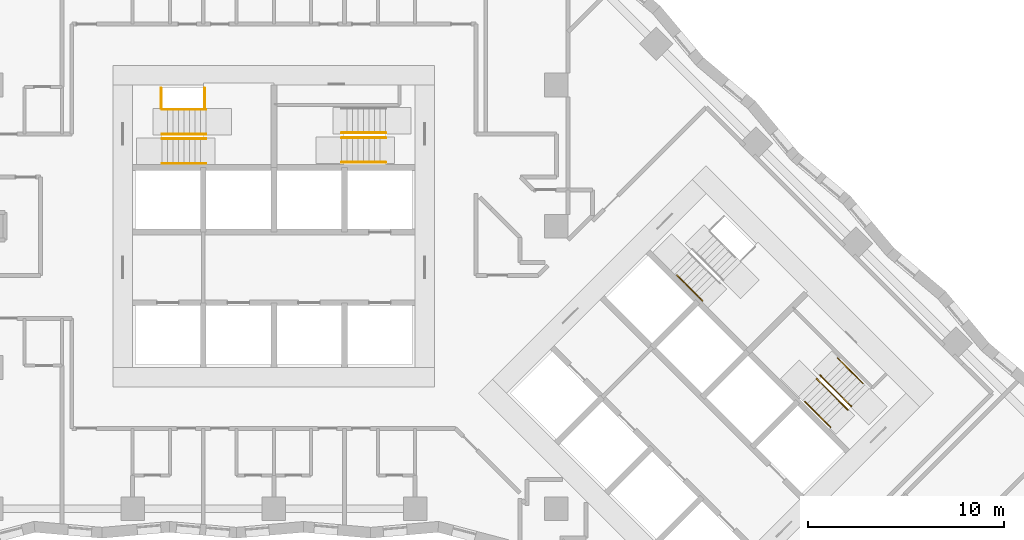
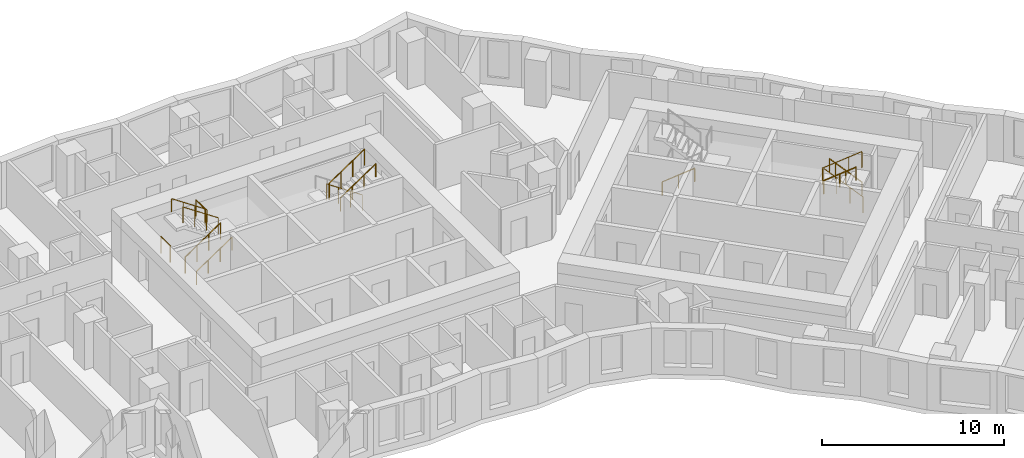
# One storey, part 14 of 15: 14 railings.
"""IFC4 building model written with IfcOpenShell, lengths in metres."""

import ifcopenshell
import ifcopenshell.guid

model = None  # the IFC model being written
_history = None  # IfcOwnerHistory: only IFC2X3 demands one
_inside = {}  # id of a spatial element -> (the spatial element, [elements in it])
_under = {}  # id of a project, library or spatial element -> (it, [spatial elements below it])
_declared = {}  # id of a project -> (the project, [libraries it declares])
_typed = {}  # id of a type object -> (the type object, [elements of that type])
_made_of = {}  # id of a material, layer set ... -> (it, [elements and type objects made of it])


def new_model(schema):
    """Start an empty IFC model of exactly this schema.

    Asked for "IFC4X3", IfcOpenShell would pick the latest addendum, in which some entities
    have other attributes; the version numbers below select the first issue.
    IFC2X3 requires an IfcOwnerHistory on every rooted entity: one is made here for all.
    """
    global model, _history
    if schema == "IFC4X3":
        model = ifcopenshell.file(schema_version=(4, 3, 0, 0))
    else:
        model = ifcopenshell.file(schema=schema)
    _inside.clear()
    _under.clear()
    _declared.clear()
    _typed.clear()
    _made_of.clear()
    _history = None
    if model.schema == "IFC2X3":
        org = make("IfcOrganization", Name="unknown")
        user = make(
            "IfcPersonAndOrganization",
            ThePerson=make("IfcPerson", FamilyName="unknown"),
            TheOrganization=org,
        )
        app = make(
            "IfcApplication",
            ApplicationDeveloper=org,
            Version="unknown",
            ApplicationFullName="unknown",
            ApplicationIdentifier="unknown",
        )
        _history = make(
            "IfcOwnerHistory",
            OwningUser=user,
            OwningApplication=app,
            ChangeAction="ADDED",
            CreationDate=0,
        )
    return model


def make(cls, **values):
    """One entity of the class cls with the attributes given. An attribute that is None is left unset."""
    return model.create_entity(
        cls, **{name: value for name, value in values.items() if value is not None}
    )


def rooted(cls, **values):
    """An entity with a GlobalId (a new one), such as an element, a storey or a relation."""
    return make(cls, GlobalId=ifcopenshell.guid.new(), OwnerHistory=_history, **values)


def si_unit(unit_type, name, prefix=None):
    """IfcSIUnit, for example si_unit("LENGTHUNIT", "METRE", prefix="MILLI")."""
    return make("IfcSIUnit", UnitType=unit_type, Prefix=prefix, Name=name)


def assignment(units):
    """IfcUnitAssignment: the units of a project."""
    return None if units is None else make("IfcUnitAssignment", Units=units)


def point(xyz):
    """IfcCartesianPoint."""
    return None if xyz is None else make("IfcCartesianPoint", Coordinates=xyz)


def direction(xyz):
    """IfcDirection."""
    return None if xyz is None else make("IfcDirection", DirectionRatios=xyz)


def frame(location, z_axis=None, x_axis=None):
    """IfcAxis2Placement3D, a coordinate frame: its origin and axes. An axis left out is left unset."""
    return make(
        "IfcAxis2Placement3D",
        Location=point(location),
        Axis=direction(z_axis),
        RefDirection=direction(x_axis),
    )


def frame_2d(location, x_axis=None):
    """IfcAxis2Placement2D, a coordinate frame in the plane: its origin and x axis."""
    return make(
        "IfcAxis2Placement2D", Location=point(location), RefDirection=direction(x_axis)
    )


def origin():
    """The frame at (0, 0, 0) with its axes left unset."""
    return frame((0.0, 0.0, 0.0))


def origin_2d():
    """The frame at (0, 0) in the plane with its x axis left unset."""
    return frame_2d((0.0, 0.0))


def place(relative_to, where):
    """IfcLocalPlacement: puts the frame where relative to a parent placement (None: the world)."""
    return make(
        "IfcLocalPlacement", PlacementRelTo=relative_to, RelativePlacement=where
    )


def context(
    kind, dimensions, precision=None, world=None, true_north=None, identifier=None
):
    """IfcGeometricRepresentationContext, for example the 3D "Model" context."""
    return make(
        "IfcGeometricRepresentationContext",
        ContextIdentifier=identifier,
        ContextType=kind,
        CoordinateSpaceDimension=dimensions,
        Precision=precision,
        WorldCoordinateSystem=world,
        TrueNorth=true_north,
    )


def subcontext(parent, identifier, kind, view, scale=None):
    """IfcGeometricRepresentationSubContext, for example "Body" below "Model"."""
    return make(
        "IfcGeometricRepresentationSubContext",
        ContextIdentifier=identifier,
        ContextType=kind,
        ParentContext=parent,
        TargetScale=scale,
        TargetView=view,
    )


def project(units=None, contexts=None):
    """IfcProject with its units and contexts."""
    return rooted(
        "IfcProject",
        Name="project",
        RepresentationContexts=contexts,
        UnitsInContext=assignment(units),
    )


def spatial(cls, under=None, at=None, **own):
    """A site, building, storey or space (cls), placed at a placement, below another one or the project."""
    s = rooted(cls, ObjectPlacement=at, **own)
    if under is not None:
        _under.setdefault(under.id(), (under, []))[1].append(s)
    return s


def profile(cls, at=None, kind="AREA", **sizes):
    """A parametric profile (cls). Its sizes go by their IFC names, for example OverallWidth=200.0."""
    return make(cls, ProfileType=kind, Position=at, **sizes)


def circle(**sizes):
    """IfcCircleProfileDef."""
    return profile("IfcCircleProfileDef", **sizes)


def extrude(swept, where, along, depth):
    """IfcExtrudedAreaSolid: the profile swept, set in the frame where, extruded along a direction by depth."""
    return make(
        "IfcExtrudedAreaSolid",
        SweptArea=swept,
        Position=where,
        ExtrudedDirection=direction(along),
        Depth=depth,
    )


def shape(context_of_items, identifier, shape_type, items):
    """IfcShapeRepresentation: the items that make up one representation, for example the "Body"."""
    return make(
        "IfcShapeRepresentation",
        ContextOfItems=context_of_items,
        RepresentationIdentifier=identifier,
        RepresentationType=shape_type,
        Items=items,
    )


def material(Name=None, Category=None):
    """IfcMaterial."""
    return make("IfcMaterial", Name=Name, Category=Category)


def made_of(thing, what):
    """Note that an element or type object is made of a material, layer set ...; save() writes the relation."""
    if what is not None:
        _made_of.setdefault(what.id(), (what, []))[1].append(thing)
    return thing


def type_object(cls, material=None, **own):
    """A type object (cls), such as IfcWallType, which elements share."""
    return made_of(rooted(cls, **own), material)


def element(
    cls,
    number,
    at=None,
    inside=None,
    cuts=None,
    type_object=None,
    material=None,
    context=None,
    identifier="Body",
    shape_type=None,
    held_by="IfcProductDefinitionShape",
    body=None,
    shapes=None,
    **own,
):
    """One element of the class cls, such as IfcWall. Its Tag is "e" and its number.

    at: its placement. inside: the storey or other place that contains it. cuts: it is an
    opening in that element (IfcRelVoidsElement). A single representation is given by context,
    identifier, shape_type and body (its items); several are given by shapes. held_by: the class
    of the entity that holds the representations. save() writes the other relations.
    """
    e = rooted(cls, Tag="e%d" % number, ObjectPlacement=at, **own)
    if body is not None:
        shapes = [shape(context, identifier, shape_type, body)]
    if shapes is not None:
        e.Representation = make(held_by, Representations=shapes)
    if inside is not None:
        _inside.setdefault(inside.id(), (inside, []))[1].append(e)
    if cuts is not None:
        rooted(
            "IfcRelVoidsElement", RelatingBuildingElement=cuts, RelatedOpeningElement=e
        )
    if type_object is not None:
        _typed.setdefault(type_object.id(), (type_object, []))[1].append(e)
    return made_of(e, material)


def aggregate(whole, parts):
    """IfcRelAggregates: a whole, such as a stair, and the parts it consists of."""
    return rooted("IfcRelAggregates", RelatingObject=whole, RelatedObjects=parts)


def save(model, path):
    """Write the relations noted so far, then the file.

    IfcRelAggregates (storeys below a building ...), IfcRelContainedInSpatialStructure (elements
    in a storey), IfcRelDefinesByType, IfcRelAssociatesMaterial and IfcRelDeclares: one each for
    every whole, place, type object, material and project.
    """
    for whole, parts in _under.values():
        aggregate(whole, parts)
    for where, things in _inside.values():
        rooted(
            "IfcRelContainedInSpatialStructure",
            RelatedElements=things,
            RelatingStructure=where,
        )
    for kind, things in _typed.values():
        rooted("IfcRelDefinesByType", RelatedObjects=things, RelatingType=kind)
    for what, things in _made_of.values():
        rooted("IfcRelAssociatesMaterial", RelatedObjects=things, RelatingMaterial=what)
    for by, libraries in _declared.values():
        rooted("IfcRelDeclares", RelatingContext=by, RelatedDefinitions=libraries)
    model.write(path)


model = new_model("IFC4")

# Units and contexts
model_context = context("Model", 3, precision=1e-05, world=origin(), true_north=direction((0.0, 1.0)))
body_context = subcontext(model_context, "Body", "Model", "MODEL_VIEW")
ifc_project = project(units=[si_unit("LENGTHUNIT", "METRE"), si_unit("AREAUNIT", "SQUARE_METRE"), si_unit("VOLUMEUNIT", "CUBIC_METRE"), si_unit("PLANEANGLEUNIT", "RADIAN"), si_unit("MASSUNIT", "GRAM", prefix="KILO")], contexts=[model_context])

# Site, building, storey
site_placement = place(None, origin())
site = spatial("IfcSite", under=ifc_project, at=site_placement, CompositionType="ELEMENT")
building_placement = place(site_placement, origin())
building = spatial("IfcBuilding", under=site, at=building_placement, Name="Windrow Commons", CompositionType="ELEMENT")
storey_placement = place(building_placement, frame((0.0, 0.0, 27.0)))
storey = spatial("IfcBuildingStorey", under=building, at=storey_placement, Name="L06", CompositionType="ELEMENT", Elevation=27.0)

# Railings
ifc_material_1 = material(Name="Steel S355", Category="steel")
railing_type_1 = type_object("IfcRailingType", Name="Core stair guard 1100", PredefinedType="GUARDRAIL", material=ifc_material_1)
railing_1_placement = place(storey_placement, frame((59.1, 62.05, 0.1889)))
element("IfcRailing", 1, at=railing_1_placement, inside=storey, type_object=railing_type_1, Name="L06 ST-A1 stair guard 1", PredefinedType="GUARDRAIL", context=body_context, shape_type="SweptSolid", body=[
    extrude(circle(Radius=0.024, at=origin_2d()), frame((0.0, 0.0, 1.076), z_axis=(0.8290030985, 0.0, 0.5592440099), x_axis=(0.0, 1.0, 0.0)), (0.0, 0.0, 1.0), 2.702),
    extrude(circle(Radius=0.021, at=origin_2d()), origin(), (0.0, 0.0, 1.0), 1.052),
    extrude(circle(Radius=0.021, at=origin_2d()), frame((0.7467, 0.0, 0.5037)), (0.0, 0.0, 1.0), 1.052),
    extrude(circle(Radius=0.021, at=origin_2d()), frame((1.4933, 0.0, 1.0074)), (0.0, 0.0, 1.0), 1.052),
    extrude(circle(Radius=0.021, at=origin_2d()), frame((2.24, 0.0, 1.5111)), (0.0, 0.0, 1.0), 1.052),
])
railing_2_placement = place(storey_placement, frame((61.34, 62.3, 1.8889)))
element("IfcRailing", 2, at=railing_2_placement, inside=storey, type_object=railing_type_1, Name="L06 ST-A1 stair guard 2", PredefinedType="GUARDRAIL", context=body_context, shape_type="SweptSolid", body=[
    extrude(circle(Radius=0.024, at=origin_2d()), frame((0.0, 0.0, 1.076), z_axis=(-0.8290030985, 0.0, 0.5592440099), x_axis=(0.0, -1.0, 0.0)), (0.0, 0.0, 1.0), 2.702),
    extrude(circle(Radius=0.021, at=origin_2d()), origin(), (0.0, 0.0, 1.0), 1.052),
    extrude(circle(Radius=0.021, at=origin_2d()), frame((-0.7467, 0.0, 0.5037)), (0.0, 0.0, 1.0), 1.052),
    extrude(circle(Radius=0.021, at=origin_2d()), frame((-1.4933, 0.0, 1.0074)), (0.0, 0.0, 1.0), 1.052),
    extrude(circle(Radius=0.021, at=origin_2d()), frame((-2.24, 0.0, 1.5111)), (0.0, 0.0, 1.0), 1.052),
])
for number, where, name in (
    (3, (59.05, 63.6, 0.0), "L06 ST-A1 stair guard 3"),
    (4, (61.27, 63.6, 1.7), "L06 ST-A1 stair guard 4"),
):
    element("IfcRailing", number, at=place(storey_placement, frame(where)), inside=storey, type_object=railing_type_1, Name=name, PredefinedType="GUARDRAIL", context=body_context, shape_type="SweptSolid", body=[
        extrude(circle(Radius=0.024, at=origin_2d()), frame((0.0, 0.0, 1.076), z_axis=(0.0, 1.0, 0.0), x_axis=(-1.0, 0.0, 0.0)), (0.0, 0.0, 1.0), 1.03),
        extrude(circle(Radius=0.021, at=origin_2d()), origin(), (0.0, 0.0, 1.0), 1.052),
        extrude(circle(Radius=0.021, at=origin_2d()), frame((0.0, 1.03, 0.0)), (0.0, 0.0, 1.0), 1.052),
    ])
railing_3_placement = place(storey_placement, frame((70.5, 62.355, 0.1889)))
element("IfcRailing", 5, at=railing_3_placement, inside=storey, type_object=railing_type_1, Name="L06 ST-A2 stair guard 1", PredefinedType="GUARDRAIL", context=body_context, shape_type="SweptSolid", body=[
    extrude(circle(Radius=0.024, at=origin_2d()), frame((0.0, 0.0, 1.076), z_axis=(-0.8290030985, 0.0, 0.5592440099), x_axis=(0.0, -1.0, 0.0)), (0.0, 0.0, 1.0), 2.702),
    extrude(circle(Radius=0.021, at=origin_2d()), origin(), (0.0, 0.0, 1.0), 1.052),
    extrude(circle(Radius=0.021, at=origin_2d()), frame((-0.7467, 0.0, 0.5037)), (0.0, 0.0, 1.0), 1.052),
    extrude(circle(Radius=0.021, at=origin_2d()), frame((-1.4933, 0.0, 1.0074)), (0.0, 0.0, 1.0), 1.052),
    extrude(circle(Radius=0.021, at=origin_2d()), frame((-2.24, 0.0, 1.5111)), (0.0, 0.0, 1.0), 1.052),
])
railing_4_placement = place(storey_placement, frame((68.26, 62.105, 1.8889)))
element("IfcRailing", 6, at=railing_4_placement, inside=storey, type_object=railing_type_1, Name="L06 ST-A2 stair guard 2", PredefinedType="GUARDRAIL", context=body_context, shape_type="SweptSolid", body=[
    extrude(circle(Radius=0.024, at=origin_2d()), frame((0.0, 0.0, 1.076), z_axis=(0.8290030985, 0.0, 0.5592440099), x_axis=(0.0, 1.0, 0.0)), (0.0, 0.0, 1.0), 2.702),
    extrude(circle(Radius=0.021, at=origin_2d()), origin(), (0.0, 0.0, 1.0), 1.052),
    extrude(circle(Radius=0.021, at=origin_2d()), frame((0.7467, 0.0, 0.5037)), (0.0, 0.0, 1.0), 1.052),
    extrude(circle(Radius=0.021, at=origin_2d()), frame((1.4933, 0.0, 1.0074)), (0.0, 0.0, 1.0), 1.052),
    extrude(circle(Radius=0.021, at=origin_2d()), frame((2.24, 0.0, 1.5111)), (0.0, 0.0, 1.0), 1.052),
])
railing_5_placement = place(storey_placement, frame((94.2296, 48.4215, 0.1889)))
element("IfcRailing", 7, at=railing_5_placement, inside=storey, type_object=railing_type_1, Name="L06 ST-B2 stair guard 1", PredefinedType="GUARDRAIL", context=body_context, shape_type="SweptSolid", body=[
    extrude(circle(Radius=0.024, at=origin_2d()), frame((0.0, 0.0, 1.076), z_axis=(-0.5862157828, 0.5861787742, 0.5592365337), x_axis=(-0.7070844598, -0.7071291018, 0.0)), (0.0, 0.0, 1.0), 2.7021),
    extrude(circle(Radius=0.021, at=origin_2d()), origin(), (0.0, 0.0, 1.0), 1.052),
    extrude(circle(Radius=0.021, at=origin_2d()), frame((-0.528, 0.528, 0.5037)), (0.0, 0.0, 1.0), 1.052),
    extrude(circle(Radius=0.021, at=origin_2d()), frame((-1.056, 1.0559, 1.0074)), (0.0, 0.0, 1.0), 1.052),
    extrude(circle(Radius=0.021, at=origin_2d()), frame((-1.584, 1.5839, 1.5111)), (0.0, 0.0, 1.0), 1.052),
])
railing_6_placement = place(storey_placement, frame((92.4689, 49.8287, 1.8889)))
element("IfcRailing", 8, at=railing_6_placement, inside=storey, type_object=railing_type_1, Name="L06 ST-B2 stair guard 2", PredefinedType="GUARDRAIL", context=body_context, shape_type="SweptSolid", body=[
    extrude(circle(Radius=0.024, at=origin_2d()), frame((0.0, 0.0, 1.076), z_axis=(0.5861787742, -0.5862157828, 0.5592365337), x_axis=(0.7071291018, 0.7070844598, 0.0)), (0.0, 0.0, 1.0), 2.7021),
    extrude(circle(Radius=0.021, at=origin_2d()), origin(), (0.0, 0.0, 1.0), 1.052),
    extrude(circle(Radius=0.021, at=origin_2d()), frame((0.528, -0.528, 0.5037)), (0.0, 0.0, 1.0), 1.052),
    extrude(circle(Radius=0.021, at=origin_2d()), frame((1.0559, -1.056, 1.0074)), (0.0, 0.0, 1.0), 1.052),
    extrude(circle(Radius=0.021, at=origin_2d()), frame((1.5839, -1.584, 1.5111)), (0.0, 0.0, 1.0), 1.052),
])
ifc_material_2 = material(Name="Steel S355", Category="steel")
railing_type_2 = type_object("IfcRailingType", Name="Core stair handrail 900", PredefinedType="HANDRAIL", material=ifc_material_2)
railing_7_placement = place(storey_placement, frame((59.1, 60.8, 0.1889)))
element("IfcRailing", 9, at=railing_7_placement, inside=storey, type_object=railing_type_2, Name="L06 ST-A1 stair handrail 1", PredefinedType="HANDRAIL", context=body_context, shape_type="SweptSolid", body=[
    extrude(circle(Radius=0.024, at=origin_2d()), frame((0.0, 0.0, 0.876), z_axis=(0.8290030985, 0.0, 0.5592440099), x_axis=(0.0, 1.0, 0.0)), (0.0, 0.0, 1.0), 2.702),
    extrude(circle(Radius=0.021, at=origin_2d()), origin(), (0.0, 0.0, 1.0), 0.852),
    extrude(circle(Radius=0.021, at=origin_2d()), frame((0.7467, 0.0, 0.5037)), (0.0, 0.0, 1.0), 0.852),
    extrude(circle(Radius=0.021, at=origin_2d()), frame((1.4933, 0.0, 1.0074)), (0.0, 0.0, 1.0), 0.852),
    extrude(circle(Radius=0.021, at=origin_2d()), frame((2.24, 0.0, 1.5111)), (0.0, 0.0, 1.0), 0.852),
])
railing_8_placement = place(storey_placement, frame((61.34, 63.55, 1.8889)))
element("IfcRailing", 10, at=railing_8_placement, inside=storey, type_object=railing_type_2, Name="L06 ST-A1 stair handrail 2", PredefinedType="HANDRAIL", context=body_context, shape_type="SweptSolid", body=[
    extrude(circle(Radius=0.024, at=origin_2d()), frame((0.0, 0.0, 0.876), z_axis=(-0.8290030985, 0.0, 0.5592440099), x_axis=(0.0, -1.0, 0.0)), (0.0, 0.0, 1.0), 2.702),
    extrude(circle(Radius=0.021, at=origin_2d()), origin(), (0.0, 0.0, 1.0), 0.852),
    extrude(circle(Radius=0.021, at=origin_2d()), frame((-0.7467, 0.0, 0.5037)), (0.0, 0.0, 1.0), 0.852),
    extrude(circle(Radius=0.021, at=origin_2d()), frame((-1.4933, 0.0, 1.0074)), (0.0, 0.0, 1.0), 0.852),
    extrude(circle(Radius=0.021, at=origin_2d()), frame((-2.24, 0.0, 1.5111)), (0.0, 0.0, 1.0), 0.852),
])
railing_9_placement = place(storey_placement, frame((68.26, 60.855, 1.8889)))
element("IfcRailing", 11, at=railing_9_placement, inside=storey, type_object=railing_type_2, Name="L06 ST-A2 stair handrail 2", PredefinedType="HANDRAIL", context=body_context, shape_type="SweptSolid", body=[
    extrude(circle(Radius=0.024, at=origin_2d()), frame((0.0, 0.0, 0.876), z_axis=(0.8290030985, 0.0, 0.5592440099), x_axis=(0.0, 1.0, 0.0)), (0.0, 0.0, 1.0), 2.702),
    extrude(circle(Radius=0.021, at=origin_2d()), origin(), (0.0, 0.0, 1.0), 0.852),
    extrude(circle(Radius=0.021, at=origin_2d()), frame((0.7467, 0.0, 0.5037)), (0.0, 0.0, 1.0), 0.852),
    extrude(circle(Radius=0.021, at=origin_2d()), frame((1.4933, 0.0, 1.0074)), (0.0, 0.0, 1.0), 0.852),
    extrude(circle(Radius=0.021, at=origin_2d()), frame((2.24, 0.0, 1.5111)), (0.0, 0.0, 1.0), 0.852),
])
railing_10_placement = place(storey_placement, frame((85.3518, 55.1001, 0.4587)))
element("IfcRailing", 12, at=railing_10_placement, inside=storey, type_object=railing_type_2, Name="L06 ST-B1 stair handrail 1", PredefinedType="HANDRAIL", context=body_context, shape_type="SweptSolid", body=[
    extrude(circle(Radius=0.024, at=origin_2d()), frame((0.0, 0.0, 0.876), z_axis=(0.586206706, -0.5861616513, 0.5592639952), x_axis=(0.7070796062, 0.7071339551, 0.0)), (0.0, 0.0, 1.0), 2.2195),
    extrude(circle(Radius=0.021, at=origin_2d()), origin(), (0.0, 0.0, 1.0), 0.852),
    extrude(circle(Radius=0.021, at=origin_2d()), frame((0.6506, -0.6505, 0.6206)), (0.0, 0.0, 1.0), 0.852),
    extrude(circle(Radius=0.021, at=origin_2d()), frame((1.3011, -1.301, 1.2413)), (0.0, 0.0, 1.0), 0.852),
])
railing_11_placement = place(storey_placement, frame((94.8306, 49.5883, 0.4587)))
element("IfcRailing", 13, at=railing_11_placement, inside=storey, type_object=railing_type_2, Name="L06 ST-B2 stair handrail 1", PredefinedType="HANDRAIL", context=body_context, shape_type="SweptSolid", body=[
    extrude(circle(Radius=0.024, at=origin_2d()), frame((0.0, 0.0, 0.876), z_axis=(-0.586206706, 0.5861616513, 0.5592639952), x_axis=(-0.7070796062, -0.7071339551, 0.0)), (0.0, 0.0, 1.0), 2.2195),
    extrude(circle(Radius=0.021, at=origin_2d()), origin(), (0.0, 0.0, 1.0), 0.852),
    extrude(circle(Radius=0.021, at=origin_2d()), frame((-0.6506, 0.6505, 0.6206)), (0.0, 0.0, 1.0), 0.852),
    extrude(circle(Radius=0.021, at=origin_2d()), frame((-1.3011, 1.301, 1.2413)), (0.0, 0.0, 1.0), 0.852),
])
railing_12_placement = place(storey_placement, frame((91.8678, 48.6619, 2.1587)))
element("IfcRailing", 14, at=railing_12_placement, inside=storey, type_object=railing_type_2, Name="L06 ST-B2 stair handrail 2", PredefinedType="HANDRAIL", context=body_context, shape_type="SweptSolid", body=[
    extrude(circle(Radius=0.024, at=origin_2d()), frame((0.0, 0.0, 0.876), z_axis=(0.586206706, -0.5861616513, 0.5592639952), x_axis=(0.7070796062, 0.7071339551, 0.0)), (0.0, 0.0, 1.0), 2.2195),
    extrude(circle(Radius=0.021, at=origin_2d()), origin(), (0.0, 0.0, 1.0), 0.852),
    extrude(circle(Radius=0.021, at=origin_2d()), frame((0.6505, -0.6505, 0.6206)), (0.0, 0.0, 1.0), 0.852),
    extrude(circle(Radius=0.021, at=origin_2d()), frame((1.3011, -1.301, 1.2413)), (0.0, 0.0, 1.0), 0.852),
])

save(model, "model.ifc")
